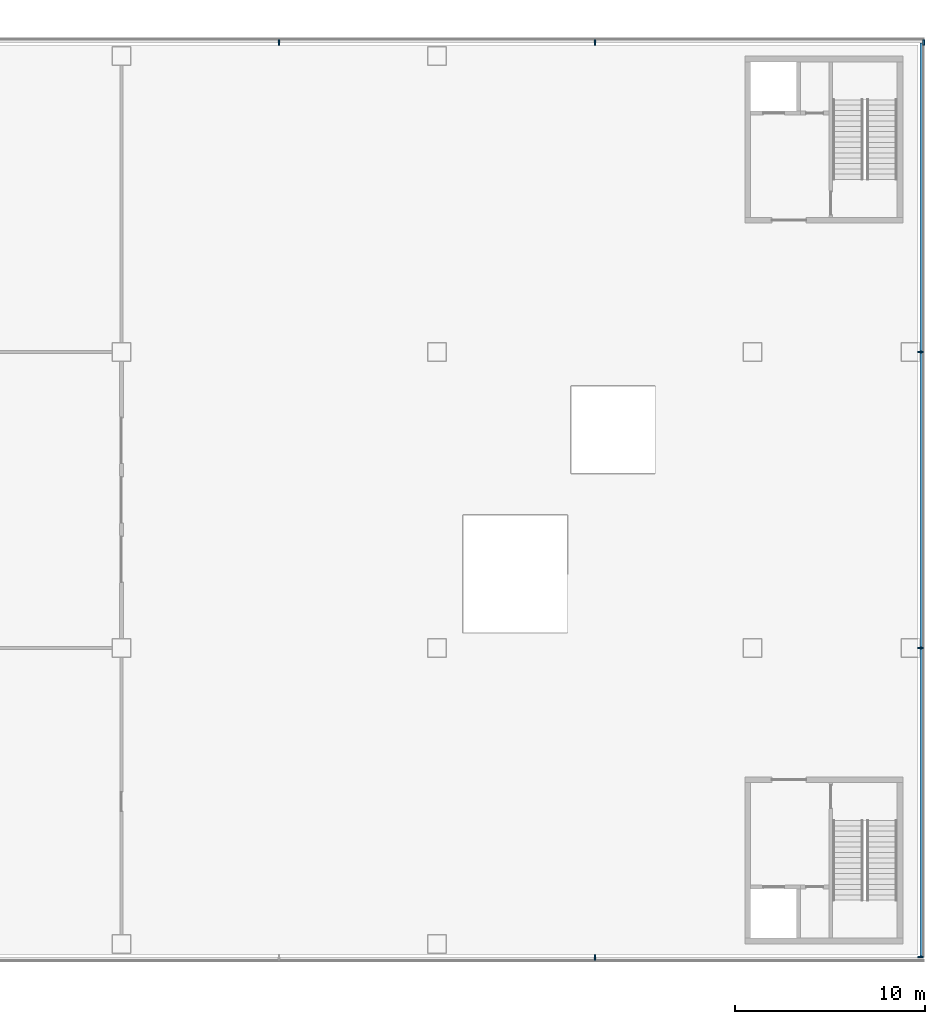
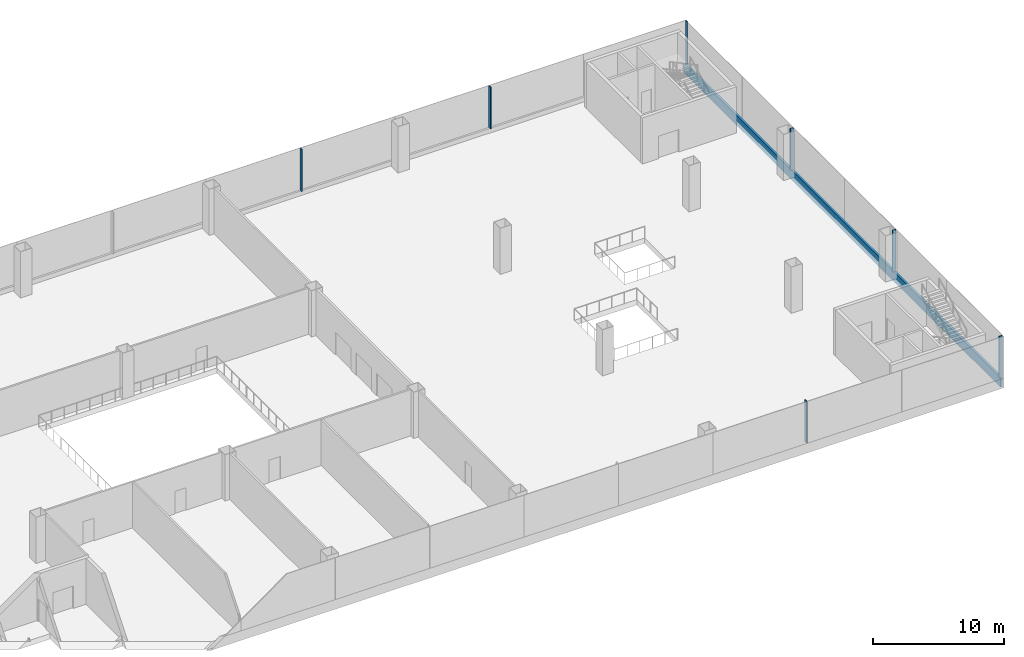
# One storey, part 15 of 53: 8 members, 3 elements without a shape of their own.
"""IFC4 building model written with IfcOpenShell, lengths in metres."""

from ifc_helpers import new_model, si_unit, direction, frame, origin, origin_2d, place, context, subcontext, project, spatial, rectangle, extrude, material, layer, layer_set, material_profile, profile_set, type_object, element, aggregate, save


model = new_model("IFC4")

# Units and contexts
model_context = context("Model", 3, precision=1e-05, world=origin(), true_north=direction((0.0, 1.0)))
body_context = subcontext(model_context, "Body", "Model", "MODEL_VIEW")
ifc_project = project(units=[si_unit("LENGTHUNIT", "METRE"), si_unit("AREAUNIT", "SQUARE_METRE"), si_unit("VOLUMEUNIT", "CUBIC_METRE"), si_unit("PLANEANGLEUNIT", "RADIAN"), si_unit("MASSUNIT", "GRAM", prefix="KILO")], contexts=[model_context])

# Site, building, storey
site_placement = place(None, origin())
site = spatial("IfcSite", under=ifc_project, at=site_placement, CompositionType="ELEMENT")
building_placement = place(site_placement, origin())
building = spatial("IfcBuilding", under=site, at=building_placement, Name="Hakoniwa Tower and Hamabe Station Hall", CompositionType="ELEMENT")
storey_placement = place(building_placement, frame((0.0, 0.0, 15.0)))
storey = spatial("IfcBuildingStorey", under=building, at=storey_placement, Name="L03", CompositionType="ELEMENT", Elevation=15.0)

# Curtain wall, member
ifc_material_1 = material(Name="Dark low-e laminated glass", Category="glass")
ifc_layer = layer(ifc_material_1, 0.199951171875)
ifc_layer_set = layer_set([ifc_layer], Name="CW-7 STATION")
curtain_wall_type = type_object("IfcCurtainWallType", Name="CW-7 STATION", PredefinedType="NOTDEFINED", material=ifc_layer_set)
curtain_wall_1_placement = place(storey_placement, origin())
curtain_wall_1 = element("IfcCurtainWall", 1, at=curtain_wall_1_placement, inside=storey, type_object=curtain_wall_type, Name="Station curtain wall L03 east", PredefinedType="NOTDEFINED")
ifc_material_2 = material(Name="Aluminium 6063-T5 black anodised", Category="aluminium")
ifc_material_profile_1 = material_profile(ifc_material_2, rectangle(XDim=0.199951171875, YDim=0.89990234375, at=origin_2d()), Name="CW SLAB-EDGE BAND 900X200")
ifc_profile_set_1 = profile_set([ifc_material_profile_1], Name="Aluminium 6063-T5 black anodised")
member_type_1 = type_object("IfcMemberType", Name="CW SLAB-EDGE BAND 900X200", PredefinedType="USERDEFINED", material=ifc_profile_set_1)
member_1_placement = place(storey_placement, frame((169.75, -24.10009765625, -0.10009765625), z_axis=(0.0, 1.0, 0.0), x_axis=(-1.0, 0.0, 0.0)))
member_1 = element("IfcMember", 2, at=member_1_placement, type_object=member_type_1, Name="CW-7 transom", ObjectType="TRANSOM", PredefinedType="USERDEFINED", context=body_context, shape_type="SweptSolid", body=[
    extrude(rectangle(XDim=0.199951171875, YDim=0.89990234375, at=origin_2d()), origin(), (0.0, 0.0, 1.0), 48.2001953125),
])

curtain_wall_2_placement = place(storey_placement, origin())
curtain_wall_2 = element("IfcCurtainWall", 3, at=curtain_wall_2_placement, inside=storey, type_object=curtain_wall_type, Name="Station curtain wall L03 south", PredefinedType="NOTDEFINED")
ifc_material_3 = material(Name="Aluminium 6063-T5 black anodised", Category="aluminium")
ifc_material_profile_2 = material_profile(ifc_material_3, rectangle(XDim=0.080078125, YDim=0.300048828125, at=origin_2d()), Name="CW-3 MULLION 80X300")
ifc_profile_set_2 = profile_set([ifc_material_profile_2], Name="Aluminium 6063-T5 black anodised")
member_type_2 = type_object("IfcMemberType", Name="CW-3 MULLION 80X300", PredefinedType="MULLION", material=ifc_profile_set_2)
member_2_placement = place(storey_placement, frame((152.510009765625, -24.1220703125, 0.35009765625), z_axis=(0.0, 0.0, 1.0), x_axis=(1.0, 0.0, 0.0)))
member_2 = element("IfcMember", 4, at=member_2_placement, type_object=member_type_2, Name="CW-7 mullion", PredefinedType="MULLION", context=body_context, shape_type="SweptSolid", body=[
    extrude(rectangle(XDim=0.080078125, YDim=0.300048828125, at=origin_2d()), origin(), (0.0, 0.0, 1.0), 3.89990234375),
])
aggregate(curtain_wall_2, [member_2])

# Member
member_3_placement = place(storey_placement, frame((169.672119140625, -24.10009765625, 0.35009765625), z_axis=(0.0, 0.0, 1.0), x_axis=(0.0, 1.0, 0.0)))
member_3 = element("IfcMember", 5, at=member_3_placement, type_object=member_type_2, Name="CW-7 mullion", PredefinedType="MULLION", context=body_context, shape_type="SweptSolid", body=[
    extrude(rectangle(XDim=0.080078125, YDim=0.300048828125, at=origin_2d()), origin(), (0.0, 0.0, 1.0), 3.89990234375),
])

member_4_placement = place(storey_placement, frame((169.672119140625, -7.800048828125, 0.35009765625), z_axis=(0.0, 0.0, 1.0), x_axis=(0.0, 1.0, 0.0)))
member_4 = element("IfcMember", 6, at=member_4_placement, type_object=member_type_2, Name="CW-7 mullion", PredefinedType="MULLION", context=body_context, shape_type="SweptSolid", body=[
    extrude(rectangle(XDim=0.080078125, YDim=0.300048828125, at=origin_2d()), origin(), (0.0, 0.0, 1.0), 3.89990234375),
])

member_5_placement = place(storey_placement, frame((169.672119140625, 7.800048828125, 0.35009765625), z_axis=(0.0, 0.0, 1.0), x_axis=(0.0, 1.0, 0.0)))
member_5 = element("IfcMember", 7, at=member_5_placement, type_object=member_type_2, Name="CW-7 mullion", PredefinedType="MULLION", context=body_context, shape_type="SweptSolid", body=[
    extrude(rectangle(XDim=0.080078125, YDim=0.300048828125, at=origin_2d()), origin(), (0.0, 0.0, 1.0), 3.89990234375),
])

aggregate(curtain_wall_1, [member_3, member_4, member_5, member_1])

# Curtain wall, members
curtain_wall_3_placement = place(storey_placement, origin())
curtain_wall_3 = element("IfcCurtainWall", 8, at=curtain_wall_3_placement, inside=storey, type_object=curtain_wall_type, Name="Station curtain wall L03 north", PredefinedType="NOTDEFINED")
member_6_placement = place(storey_placement, frame((169.85009765625, 24.1220703125, 0.35009765625), z_axis=(0.0, 0.0, 1.0), x_axis=(-1.0, 0.0, 0.0)))
member_6 = element("IfcMember", 9, at=member_6_placement, type_object=member_type_2, Name="CW-7 mullion", PredefinedType="MULLION", context=body_context, shape_type="SweptSolid", body=[
    extrude(rectangle(XDim=0.080078125, YDim=0.300048828125, at=origin_2d()), origin(), (0.0, 0.0, 1.0), 3.89990234375),
])
member_7_placement = place(storey_placement, frame((152.510009765625, 24.1220703125, 0.35009765625), z_axis=(0.0, 0.0, 1.0), x_axis=(-1.0, 0.0, 0.0)))
member_7 = element("IfcMember", 10, at=member_7_placement, type_object=member_type_2, Name="CW-7 mullion", PredefinedType="MULLION", context=body_context, shape_type="SweptSolid", body=[
    extrude(rectangle(XDim=0.080078125, YDim=0.300048828125, at=origin_2d()), origin(), (0.0, 0.0, 1.0), 3.89990234375),
])
member_8_placement = place(storey_placement, frame((135.8701171875, 24.1220703125, 0.35009765625), z_axis=(0.0, 0.0, 1.0), x_axis=(-1.0, 0.0, 0.0)))
member_8 = element("IfcMember", 11, at=member_8_placement, type_object=member_type_2, Name="CW-7 mullion", PredefinedType="MULLION", context=body_context, shape_type="SweptSolid", body=[
    extrude(rectangle(XDim=0.080078125, YDim=0.300048828125, at=origin_2d()), origin(), (0.0, 0.0, 1.0), 3.89990234375),
])
aggregate(curtain_wall_3, [member_6, member_7, member_8])

save(model, "model.ifc")
